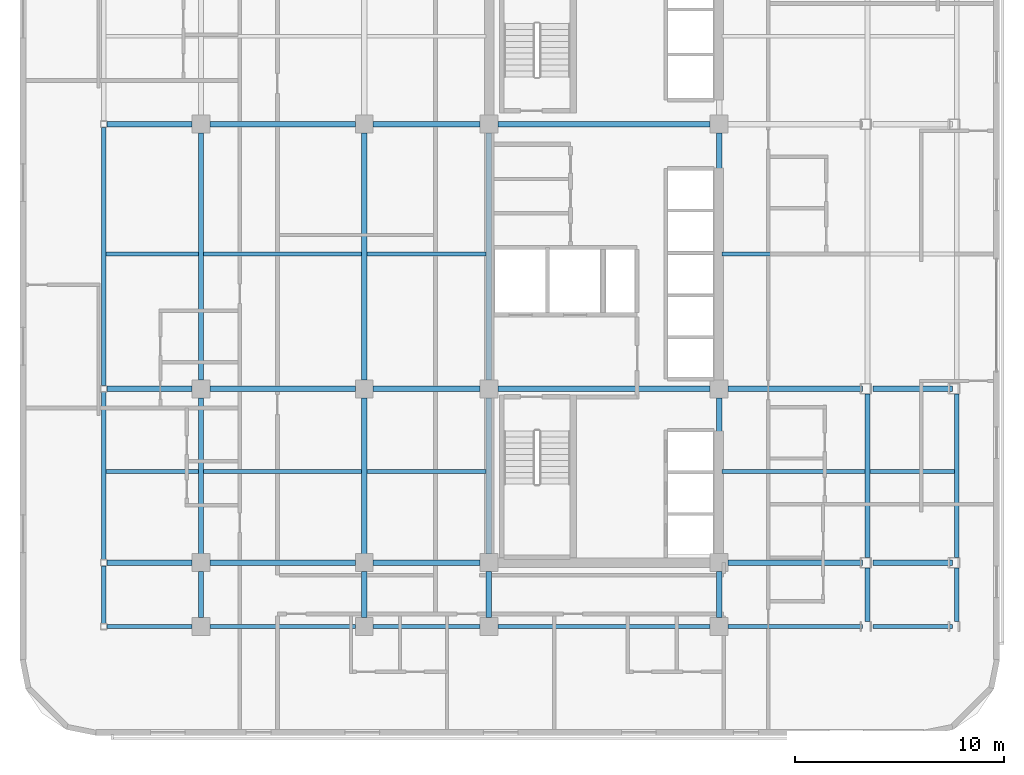
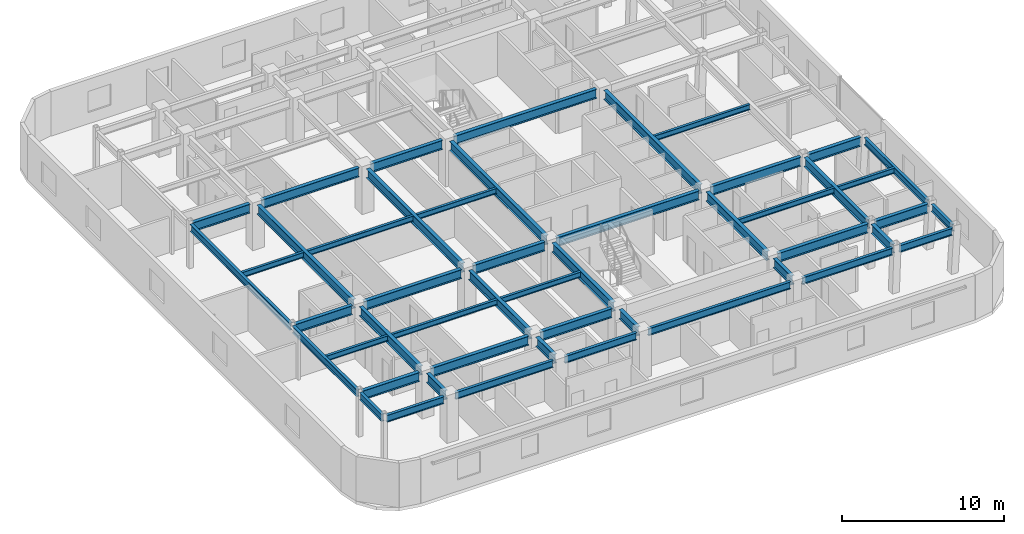
# One storey, part 4 of 15: 49 beams.
"""IFC4 building model written with IfcOpenShell, lengths in metres."""

from ifc_helpers import new_model, si_unit, direction, frame, origin, origin_2d, place, context, subcontext, project, spatial, i_section, extrude, material, material_profile, profile_set, type_object, element, save


model = new_model("IFC4")

# Units and contexts
model_context = context("Model", 3, precision=1e-05, world=origin(), true_north=direction((0.0, 1.0)))
body_context = subcontext(model_context, "Body", "Model", "MODEL_VIEW")
ifc_project = project(units=[si_unit("LENGTHUNIT", "METRE"), si_unit("AREAUNIT", "SQUARE_METRE"), si_unit("VOLUMEUNIT", "CUBIC_METRE"), si_unit("PLANEANGLEUNIT", "RADIAN"), si_unit("MASSUNIT", "GRAM", prefix="KILO")], contexts=[model_context])

# Site, building, storey
site_placement = place(None, origin())
site = spatial("IfcSite", under=ifc_project, at=site_placement, CompositionType="ELEMENT")
building_placement = place(site_placement, origin())
building = spatial("IfcBuilding", under=site, at=building_placement, Name="Ochreholt Gables", CompositionType="ELEMENT")
storey_placement = place(building_placement, frame((0.0, 0.0, 64.199951171875)))
storey = spatial("IfcBuildingStorey", under=building, at=storey_placement, Name="L16", CompositionType="ELEMENT", Elevation=64.199951171875)

# Beams
ifc_material = material(Name="Steel CSA G40.21 350W", Category="steel")
ifc_material_profile_1 = material_profile(ifc_material, i_section(OverallWidth=0.256103515625, OverallDepth=0.693115234375, WebThickness=0.014404296875, FlangeThickness=0.023681640625, at=origin_2d()), Name="W690X170")
ifc_profile_set_1 = profile_set([ifc_material_profile_1], Name="Steel CSA G40.21 350W")
beam_type_1 = type_object("IfcBeamType", Name="BM-G-W690", PredefinedType="BEAM", material=ifc_profile_set_1)
beam_1_placement = place(storey_placement, frame((5.9521484375, 9.25, 3.013427734375), z_axis=(1.0, 0.0, 0.0), x_axis=(0.0, 1.0, 0.0)))
element("IfcBeam", 1, at=beam_1_placement, inside=storey, type_object=beam_type_1, Name="L16 Beam TBG-L16-WTW2-Y2", PredefinedType="BEAM", context=body_context, shape_type="SweptSolid", body=[
    extrude(i_section(OverallWidth=0.256103515625, OverallDepth=0.693115234375, WebThickness=0.014404296875, FlangeThickness=0.023681640625, at=origin_2d()), origin(), (0.0, 0.0, 1.0), 4.0732421875),
])
beam_2_placement = place(storey_placement, frame((10.87451171875, 9.25, 3.013427734375), z_axis=(1.0, 0.0, 0.0), x_axis=(0.0, 1.0, 0.0)))
element("IfcBeam", 2, at=beam_2_placement, inside=storey, type_object=beam_type_1, Name="L16 Beam TBG-L16-W2W3-Y2", PredefinedType="BEAM", context=body_context, shape_type="SweptSolid", body=[
    extrude(i_section(OverallWidth=0.256103515625, OverallDepth=0.693115234375, WebThickness=0.014404296875, FlangeThickness=0.023681640625, at=origin_2d()), origin(), (0.0, 0.0, 1.0), 6.950927734375),
])
beam_3_placement = place(storey_placement, frame((18.674560546875, 9.25, 3.013427734375), z_axis=(1.0, 0.0, 0.0), x_axis=(0.0, 1.0, 0.0)))
element("IfcBeam", 3, at=beam_3_placement, inside=storey, type_object=beam_type_1, Name="L16 Beam TBG-L16-W3C1-Y2", PredefinedType="BEAM", context=body_context, shape_type="SweptSolid", body=[
    extrude(i_section(OverallWidth=0.256103515625, OverallDepth=0.693115234375, WebThickness=0.014404296875, FlangeThickness=0.023681640625, at=origin_2d()), origin(), (0.0, 0.0, 1.0), 5.100830078125),
])
beam_4_placement = place(storey_placement, frame((35.62451171875, 9.25, 3.013427734375), z_axis=(1.0, 0.0, 0.0), x_axis=(0.0, 1.0, 0.0)))
element("IfcBeam", 4, at=beam_4_placement, inside=storey, type_object=beam_type_1, Name="L16 Beam TBG-L16-C2EM-Y2", PredefinedType="BEAM", context=body_context, shape_type="SweptSolid", body=[
    extrude(i_section(OverallWidth=0.256103515625, OverallDepth=0.693115234375, WebThickness=0.014404296875, FlangeThickness=0.023681640625, at=origin_2d()), origin(), (0.0, 0.0, 1.0), 6.434814453125),
])
beam_5_placement = place(storey_placement, frame((42.55859375, 9.25, 3.013427734375), z_axis=(1.0, 0.0, 0.0), x_axis=(0.0, 1.0, 0.0)))
element("IfcBeam", 5, at=beam_5_placement, inside=storey, type_object=beam_type_1, Name="L16 Beam TBG-L16-EMEE-Y2", PredefinedType="BEAM", context=body_context, shape_type="SweptSolid", body=[
    extrude(i_section(OverallWidth=0.256103515625, OverallDepth=0.693115234375, WebThickness=0.014404296875, FlangeThickness=0.023681640625, at=origin_2d()), origin(), (0.0, 0.0, 1.0), 3.781005859375),
])
beam_6_placement = place(storey_placement, frame((5.9521484375, 17.550048828125, 3.013427734375), z_axis=(1.0, 0.0, 0.0), x_axis=(0.0, 1.0, 0.0)))
element("IfcBeam", 6, at=beam_6_placement, inside=storey, type_object=beam_type_1, Name="L16 Beam TBG-L16-WTW2-Y3", PredefinedType="BEAM", context=body_context, shape_type="SweptSolid", body=[
    extrude(i_section(OverallWidth=0.256103515625, OverallDepth=0.693115234375, WebThickness=0.014404296875, FlangeThickness=0.023681640625, at=origin_2d()), origin(), (0.0, 0.0, 1.0), 4.0732421875),
])
beam_7_placement = place(storey_placement, frame((10.87451171875, 17.550048828125, 3.013427734375), z_axis=(1.0, 0.0, 0.0), x_axis=(0.0, 1.0, 0.0)))
element("IfcBeam", 7, at=beam_7_placement, inside=storey, type_object=beam_type_1, Name="L16 Beam TBG-L16-W2W3-Y3", PredefinedType="BEAM", context=body_context, shape_type="SweptSolid", body=[
    extrude(i_section(OverallWidth=0.256103515625, OverallDepth=0.693115234375, WebThickness=0.014404296875, FlangeThickness=0.023681640625, at=origin_2d()), origin(), (0.0, 0.0, 1.0), 6.950927734375),
])
beam_8_placement = place(storey_placement, frame((18.674560546875, 17.550048828125, 3.013427734375), z_axis=(1.0, 0.0, 0.0), x_axis=(0.0, 1.0, 0.0)))
element("IfcBeam", 8, at=beam_8_placement, inside=storey, type_object=beam_type_1, Name="L16 Beam TBG-L16-W3C1-Y3", PredefinedType="BEAM", context=body_context, shape_type="SweptSolid", body=[
    extrude(i_section(OverallWidth=0.256103515625, OverallDepth=0.693115234375, WebThickness=0.014404296875, FlangeThickness=0.023681640625, at=origin_2d()), origin(), (0.0, 0.0, 1.0), 5.100830078125),
])
beam_9_placement = place(storey_placement, frame((24.62451171875, 17.550048828125, 3.013427734375), z_axis=(1.0, 0.0, 0.0), x_axis=(0.0, 1.0, 0.0)))
element("IfcBeam", 9, at=beam_9_placement, inside=storey, type_object=beam_type_1, Name="L16 Beam TBG-L16-C1C2-Y3", PredefinedType="BEAM", context=body_context, shape_type="SweptSolid", body=[
    extrude(i_section(OverallWidth=0.256103515625, OverallDepth=0.693115234375, WebThickness=0.014404296875, FlangeThickness=0.023681640625, at=origin_2d()), origin(), (0.0, 0.0, 1.0), 10.15087890625),
])
beam_10_placement = place(storey_placement, frame((35.62451171875, 17.550048828125, 3.013427734375), z_axis=(1.0, 0.0, 0.0), x_axis=(0.0, 1.0, 0.0)))
element("IfcBeam", 10, at=beam_10_placement, inside=storey, type_object=beam_type_1, Name="L16 Beam TBG-L16-C2EM-Y3", PredefinedType="BEAM", context=body_context, shape_type="SweptSolid", body=[
    extrude(i_section(OverallWidth=0.256103515625, OverallDepth=0.693115234375, WebThickness=0.014404296875, FlangeThickness=0.023681640625, at=origin_2d()), origin(), (0.0, 0.0, 1.0), 6.434814453125),
])
beam_11_placement = place(storey_placement, frame((42.55859375, 17.550048828125, 3.013427734375), z_axis=(1.0, 0.0, 0.0), x_axis=(0.0, 1.0, 0.0)))
element("IfcBeam", 11, at=beam_11_placement, inside=storey, type_object=beam_type_1, Name="L16 Beam TBG-L16-EMEE-Y3", PredefinedType="BEAM", context=body_context, shape_type="SweptSolid", body=[
    extrude(i_section(OverallWidth=0.256103515625, OverallDepth=0.693115234375, WebThickness=0.014404296875, FlangeThickness=0.023681640625, at=origin_2d()), origin(), (0.0, 0.0, 1.0), 3.781005859375),
])
beam_12_placement = place(storey_placement, frame((5.9521484375, 30.199951171875, 3.013427734375), z_axis=(1.0, 0.0, 0.0), x_axis=(0.0, 1.0, 0.0)))
element("IfcBeam", 12, at=beam_12_placement, inside=storey, type_object=beam_type_1, Name="L16 Beam TBG-L16-WTW2-Y4", PredefinedType="BEAM", context=body_context, shape_type="SweptSolid", body=[
    extrude(i_section(OverallWidth=0.256103515625, OverallDepth=0.693115234375, WebThickness=0.014404296875, FlangeThickness=0.023681640625, at=origin_2d()), origin(), (0.0, 0.0, 1.0), 4.0732421875),
])
beam_13_placement = place(storey_placement, frame((10.87451171875, 30.199951171875, 3.013427734375), z_axis=(1.0, 0.0, 0.0), x_axis=(0.0, 1.0, 0.0)))
element("IfcBeam", 13, at=beam_13_placement, inside=storey, type_object=beam_type_1, Name="L16 Beam TBG-L16-W2W3-Y4", PredefinedType="BEAM", context=body_context, shape_type="SweptSolid", body=[
    extrude(i_section(OverallWidth=0.256103515625, OverallDepth=0.693115234375, WebThickness=0.014404296875, FlangeThickness=0.023681640625, at=origin_2d()), origin(), (0.0, 0.0, 1.0), 6.950927734375),
])
beam_14_placement = place(storey_placement, frame((18.674560546875, 30.199951171875, 3.013427734375), z_axis=(1.0, 0.0, 0.0), x_axis=(0.0, 1.0, 0.0)))
element("IfcBeam", 14, at=beam_14_placement, inside=storey, type_object=beam_type_1, Name="L16 Beam TBG-L16-W3C1-Y4", PredefinedType="BEAM", context=body_context, shape_type="SweptSolid", body=[
    extrude(i_section(OverallWidth=0.256103515625, OverallDepth=0.693115234375, WebThickness=0.014404296875, FlangeThickness=0.023681640625, at=origin_2d()), origin(), (0.0, 0.0, 1.0), 5.100830078125),
])
beam_15_placement = place(storey_placement, frame((24.62451171875, 30.199951171875, 3.013427734375), z_axis=(1.0, 0.0, 0.0), x_axis=(0.0, 1.0, 0.0)))
element("IfcBeam", 15, at=beam_15_placement, inside=storey, type_object=beam_type_1, Name="L16 Beam TBG-L16-C1C2-Y4", PredefinedType="BEAM", context=body_context, shape_type="SweptSolid", body=[
    extrude(i_section(OverallWidth=0.256103515625, OverallDepth=0.693115234375, WebThickness=0.014404296875, FlangeThickness=0.023681640625, at=origin_2d()), origin(), (0.0, 0.0, 1.0), 10.15087890625),
])
beam_16_placement = place(storey_placement, frame((10.449951171875, 6.62451171875, 3.013427734375), z_axis=(0.0, 1.0, 0.0), x_axis=(-1.0, 0.0, 0.0)))
element("IfcBeam", 16, at=beam_16_placement, inside=storey, type_object=beam_type_1, Name="L16 Beam TBN-L16-W2-Y1Y2", PredefinedType="BEAM", context=body_context, shape_type="SweptSolid", body=[
    extrude(i_section(OverallWidth=0.256103515625, OverallDepth=0.693115234375, WebThickness=0.014404296875, FlangeThickness=0.023681640625, at=origin_2d()), origin(), (0.0, 0.0, 1.0), 2.200927734375),
])
beam_17_placement = place(storey_placement, frame((10.449951171875, 9.674560546875, 3.013427734375), z_axis=(0.0, 1.0, 0.0), x_axis=(-1.0, 0.0, 0.0)))
element("IfcBeam", 17, at=beam_17_placement, inside=storey, type_object=beam_type_1, Name="L16 Beam TBN-L16-W2-Y2Y3", PredefinedType="BEAM", context=body_context, shape_type="SweptSolid", body=[
    extrude(i_section(OverallWidth=0.256103515625, OverallDepth=0.693115234375, WebThickness=0.014404296875, FlangeThickness=0.023681640625, at=origin_2d()), origin(), (0.0, 0.0, 1.0), 7.450927734375),
])
beam_18_placement = place(storey_placement, frame((10.449951171875, 17.974609375, 3.013427734375), z_axis=(0.0, 1.0, 0.0), x_axis=(-1.0, 0.0, 0.0)))
element("IfcBeam", 18, at=beam_18_placement, inside=storey, type_object=beam_type_1, Name="L16 Beam TBN-L16-W2-Y3Y4", PredefinedType="BEAM", context=body_context, shape_type="SweptSolid", body=[
    extrude(i_section(OverallWidth=0.256103515625, OverallDepth=0.693115234375, WebThickness=0.014404296875, FlangeThickness=0.023681640625, at=origin_2d()), origin(), (0.0, 0.0, 1.0), 11.80078125),
])
beam_19_placement = place(storey_placement, frame((18.25, 6.62451171875, 3.013427734375), z_axis=(0.0, 1.0, 0.0), x_axis=(-1.0, 0.0, 0.0)))
element("IfcBeam", 19, at=beam_19_placement, inside=storey, type_object=beam_type_1, Name="L16 Beam TBN-L16-W3-Y1Y2", PredefinedType="BEAM", context=body_context, shape_type="SweptSolid", body=[
    extrude(i_section(OverallWidth=0.256103515625, OverallDepth=0.693115234375, WebThickness=0.014404296875, FlangeThickness=0.023681640625, at=origin_2d()), origin(), (0.0, 0.0, 1.0), 2.200927734375),
])
beam_20_placement = place(storey_placement, frame((18.25, 9.674560546875, 3.013427734375), z_axis=(0.0, 1.0, 0.0), x_axis=(-1.0, 0.0, 0.0)))
element("IfcBeam", 20, at=beam_20_placement, inside=storey, type_object=beam_type_1, Name="L16 Beam TBN-L16-W3-Y2Y3", PredefinedType="BEAM", context=body_context, shape_type="SweptSolid", body=[
    extrude(i_section(OverallWidth=0.256103515625, OverallDepth=0.693115234375, WebThickness=0.014404296875, FlangeThickness=0.023681640625, at=origin_2d()), origin(), (0.0, 0.0, 1.0), 7.450927734375),
])
beam_21_placement = place(storey_placement, frame((18.25, 17.974609375, 3.013427734375), z_axis=(0.0, 1.0, 0.0), x_axis=(-1.0, 0.0, 0.0)))
element("IfcBeam", 21, at=beam_21_placement, inside=storey, type_object=beam_type_1, Name="L16 Beam TBN-L16-W3-Y3Y4", PredefinedType="BEAM", context=body_context, shape_type="SweptSolid", body=[
    extrude(i_section(OverallWidth=0.256103515625, OverallDepth=0.693115234375, WebThickness=0.014404296875, FlangeThickness=0.023681640625, at=origin_2d()), origin(), (0.0, 0.0, 1.0), 11.80078125),
])
beam_22_placement = place(storey_placement, frame((24.199951171875, 6.62451171875, 3.013427734375), z_axis=(0.0, 1.0, 0.0), x_axis=(-1.0, 0.0, 0.0)))
element("IfcBeam", 22, at=beam_22_placement, inside=storey, type_object=beam_type_1, Name="L16 Beam TBN-L16-C1-Y1Y2", PredefinedType="BEAM", context=body_context, shape_type="SweptSolid", body=[
    extrude(i_section(OverallWidth=0.256103515625, OverallDepth=0.693115234375, WebThickness=0.014404296875, FlangeThickness=0.023681640625, at=origin_2d()), origin(), (0.0, 0.0, 1.0), 2.200927734375),
])
beam_23_placement = place(storey_placement, frame((24.199951171875, 9.674560546875, 3.013427734375), z_axis=(0.0, 1.0, 0.0), x_axis=(-1.0, 0.0, 0.0)))
element("IfcBeam", 23, at=beam_23_placement, inside=storey, type_object=beam_type_1, Name="L16 Beam TBN-L16-C1-Y2Y3", PredefinedType="BEAM", context=body_context, shape_type="SweptSolid", body=[
    extrude(i_section(OverallWidth=0.256103515625, OverallDepth=0.693115234375, WebThickness=0.014404296875, FlangeThickness=0.023681640625, at=origin_2d()), origin(), (0.0, 0.0, 1.0), 7.450927734375),
])
beam_24_placement = place(storey_placement, frame((24.199951171875, 17.974609375, 3.013427734375), z_axis=(0.0, 1.0, 0.0), x_axis=(-1.0, 0.0, 0.0)))
element("IfcBeam", 24, at=beam_24_placement, inside=storey, type_object=beam_type_1, Name="L16 Beam TBN-L16-C1-Y3Y4", PredefinedType="BEAM", context=body_context, shape_type="SweptSolid", body=[
    extrude(i_section(OverallWidth=0.256103515625, OverallDepth=0.693115234375, WebThickness=0.014404296875, FlangeThickness=0.023681640625, at=origin_2d()), origin(), (0.0, 0.0, 1.0), 11.80078125),
])
beam_25_placement = place(storey_placement, frame((35.199951171875, 6.62451171875, 3.013427734375), z_axis=(0.0, 1.0, 0.0), x_axis=(-1.0, 0.0, 0.0)))
element("IfcBeam", 25, at=beam_25_placement, inside=storey, type_object=beam_type_1, Name="L16 Beam TBN-L16-C2-Y1Y2", PredefinedType="BEAM", context=body_context, shape_type="SweptSolid", body=[
    extrude(i_section(OverallWidth=0.256103515625, OverallDepth=0.693115234375, WebThickness=0.014404296875, FlangeThickness=0.023681640625, at=origin_2d()), origin(), (0.0, 0.0, 1.0), 2.200927734375),
])
beam_26_placement = place(storey_placement, frame((35.199951171875, 9.674560546875, 3.013427734375), z_axis=(0.0, 1.0, 0.0), x_axis=(-1.0, 0.0, 0.0)))
element("IfcBeam", 26, at=beam_26_placement, inside=storey, type_object=beam_type_1, Name="L16 Beam TBN-L16-C2-Y2Y3", PredefinedType="BEAM", context=body_context, shape_type="SweptSolid", body=[
    extrude(i_section(OverallWidth=0.256103515625, OverallDepth=0.693115234375, WebThickness=0.014404296875, FlangeThickness=0.023681640625, at=origin_2d()), origin(), (0.0, 0.0, 1.0), 7.450927734375),
])
beam_27_placement = place(storey_placement, frame((35.199951171875, 17.974609375, 3.013427734375), z_axis=(0.0, 1.0, 0.0), x_axis=(-1.0, 0.0, 0.0)))
element("IfcBeam", 27, at=beam_27_placement, inside=storey, type_object=beam_type_1, Name="L16 Beam TBN-L16-C2-Y3Y4", PredefinedType="BEAM", context=body_context, shape_type="SweptSolid", body=[
    extrude(i_section(OverallWidth=0.256103515625, OverallDepth=0.693115234375, WebThickness=0.014404296875, FlangeThickness=0.023681640625, at=origin_2d()), origin(), (0.0, 0.0, 1.0), 11.80078125),
])
beam_28_placement = place(storey_placement, frame((42.291748046875, 6.44970703125, 3.013427734375), z_axis=(0.0, 1.0, 0.0), x_axis=(-1.0, 0.0, 0.0)))
element("IfcBeam", 28, at=beam_28_placement, inside=storey, type_object=beam_type_1, Name="L16 Beam TBN-L16-EM-Y1Y2", PredefinedType="BEAM", context=body_context, shape_type="SweptSolid", body=[
    extrude(i_section(OverallWidth=0.256103515625, OverallDepth=0.693115234375, WebThickness=0.014404296875, FlangeThickness=0.023681640625, at=origin_2d()), origin(), (0.0, 0.0, 1.0), 2.55078125),
])
beam_29_placement = place(storey_placement, frame((42.291748046875, 9.49951171875, 3.013427734375), z_axis=(0.0, 1.0, 0.0), x_axis=(-1.0, 0.0, 0.0)))
element("IfcBeam", 29, at=beam_29_placement, inside=storey, type_object=beam_type_1, Name="L16 Beam TBN-L16-EM-Y2Y3", PredefinedType="BEAM", context=body_context, shape_type="SweptSolid", body=[
    extrude(i_section(OverallWidth=0.256103515625, OverallDepth=0.693115234375, WebThickness=0.014404296875, FlangeThickness=0.023681640625, at=origin_2d()), origin(), (0.0, 0.0, 1.0), 7.80078125),
])
ifc_material_profile_2 = material_profile(ifc_material, i_section(OverallWidth=0.178955078125, OverallDepth=0.409912109375, WebThickness=0.0087890625, FlangeThickness=0.014404296875, at=origin_2d()), Name="W410X67")
ifc_profile_set_2 = profile_set([ifc_material_profile_2], Name="Steel CSA G40.21 350W")
beam_type_2 = type_object("IfcBeamType", Name="BM-J-W410", PredefinedType="JOIST", material=ifc_profile_set_2)
beam_30_placement = place(storey_placement, frame((5.904052734375, 13.60009765625, 3.155029296875), z_axis=(1.0, 0.0, 0.0), x_axis=(0.0, 1.0, 0.0)))
element("IfcBeam", 30, at=beam_30_placement, inside=storey, type_object=beam_type_2, Name="L16 Beam TBJ-L16-J1-WTW2", PredefinedType="JOIST", context=body_context, shape_type="SweptSolid", body=[
    extrude(i_section(OverallWidth=0.178955078125, OverallDepth=0.409912109375, WebThickness=0.0087890625, FlangeThickness=0.014404296875, at=origin_2d()), origin(), (0.0, 0.0, 1.0), 4.41845703125),
])
beam_31_placement = place(storey_placement, frame((10.57763671875, 13.60009765625, 3.155029296875), z_axis=(1.0, 0.0, 0.0), x_axis=(0.0, 1.0, 0.0)))
element("IfcBeam", 31, at=beam_31_placement, inside=storey, type_object=beam_type_2, Name="L16 Beam TBJ-L16-J1-W2W3", PredefinedType="JOIST", context=body_context, shape_type="SweptSolid", body=[
    extrude(i_section(OverallWidth=0.178955078125, OverallDepth=0.409912109375, WebThickness=0.0087890625, FlangeThickness=0.014404296875, at=origin_2d()), origin(), (0.0, 0.0, 1.0), 7.544677734375),
])
beam_32_placement = place(storey_placement, frame((18.377685546875, 13.60009765625, 3.155029296875), z_axis=(1.0, 0.0, 0.0), x_axis=(0.0, 1.0, 0.0)))
element("IfcBeam", 32, at=beam_32_placement, inside=storey, type_object=beam_type_2, Name="L16 Beam TBJ-L16-J1-W3C1", PredefinedType="JOIST", context=body_context, shape_type="SweptSolid", body=[
    extrude(i_section(OverallWidth=0.178955078125, OverallDepth=0.409912109375, WebThickness=0.0087890625, FlangeThickness=0.014404296875, at=origin_2d()), origin(), (0.0, 0.0, 1.0), 5.69482421875),
])
beam_33_placement = place(storey_placement, frame((35.32763671875, 13.60009765625, 3.155029296875), z_axis=(1.0, 0.0, 0.0), x_axis=(0.0, 1.0, 0.0)))
element("IfcBeam", 33, at=beam_33_placement, inside=storey, type_object=beam_type_2, Name="L16 Beam TBJ-L16-J1-C2EM", PredefinedType="JOIST", context=body_context, shape_type="SweptSolid", body=[
    extrude(i_section(OverallWidth=0.178955078125, OverallDepth=0.409912109375, WebThickness=0.0087890625, FlangeThickness=0.014404296875, at=origin_2d()), origin(), (0.0, 0.0, 1.0), 6.836669921875),
])
beam_34_placement = place(storey_placement, frame((42.41943359375, 13.60009765625, 3.155029296875), z_axis=(1.0, 0.0, 0.0), x_axis=(0.0, 1.0, 0.0)))
element("IfcBeam", 34, at=beam_34_placement, inside=storey, type_object=beam_type_2, Name="L16 Beam TBJ-L16-J1-EMEE", PredefinedType="JOIST", context=body_context, shape_type="SweptSolid", body=[
    extrude(i_section(OverallWidth=0.178955078125, OverallDepth=0.409912109375, WebThickness=0.0087890625, FlangeThickness=0.014404296875, at=origin_2d()), origin(), (0.0, 0.0, 1.0), 4.037353515625),
])
beam_35_placement = place(storey_placement, frame((5.904052734375, 24.0, 3.155029296875), z_axis=(1.0, 0.0, 0.0), x_axis=(0.0, 1.0, 0.0)))
element("IfcBeam", 35, at=beam_35_placement, inside=storey, type_object=beam_type_2, Name="L16 Beam TBJ-L16-J2-WTW2", PredefinedType="JOIST", context=body_context, shape_type="SweptSolid", body=[
    extrude(i_section(OverallWidth=0.178955078125, OverallDepth=0.409912109375, WebThickness=0.0087890625, FlangeThickness=0.014404296875, at=origin_2d()), origin(), (0.0, 0.0, 1.0), 4.41845703125),
])
beam_36_placement = place(storey_placement, frame((10.57763671875, 24.0, 3.155029296875), z_axis=(1.0, 0.0, 0.0), x_axis=(0.0, 1.0, 0.0)))
element("IfcBeam", 36, at=beam_36_placement, inside=storey, type_object=beam_type_2, Name="L16 Beam TBJ-L16-J2-W2W3", PredefinedType="JOIST", context=body_context, shape_type="SweptSolid", body=[
    extrude(i_section(OverallWidth=0.178955078125, OverallDepth=0.409912109375, WebThickness=0.0087890625, FlangeThickness=0.014404296875, at=origin_2d()), origin(), (0.0, 0.0, 1.0), 7.544677734375),
])
beam_37_placement = place(storey_placement, frame((18.377685546875, 24.0, 3.155029296875), z_axis=(1.0, 0.0, 0.0), x_axis=(0.0, 1.0, 0.0)))
element("IfcBeam", 37, at=beam_37_placement, inside=storey, type_object=beam_type_2, Name="L16 Beam TBJ-L16-J2-W3C1", PredefinedType="JOIST", context=body_context, shape_type="SweptSolid", body=[
    extrude(i_section(OverallWidth=0.178955078125, OverallDepth=0.409912109375, WebThickness=0.0087890625, FlangeThickness=0.014404296875, at=origin_2d()), origin(), (0.0, 0.0, 1.0), 5.69482421875),
])
beam_38_placement = place(storey_placement, frame((35.32763671875, 24.0, 3.155029296875), z_axis=(1.0, 0.0, 0.0), x_axis=(0.0, 1.0, 0.0)))
element("IfcBeam", 38, at=beam_38_placement, inside=storey, type_object=beam_type_2, Name="L16 Beam TBJ-L16-J2-C2EM", PredefinedType="JOIST", context=body_context, shape_type="SweptSolid", body=[
    extrude(i_section(OverallWidth=0.178955078125, OverallDepth=0.409912109375, WebThickness=0.0087890625, FlangeThickness=0.014404296875, at=origin_2d()), origin(), (0.0, 0.0, 1.0), 6.836669921875),
])
ifc_material_profile_3 = material_profile(ifc_material, i_section(OverallWidth=0.208984375, OverallDepth=0.532958984375, WebThickness=0.01025390625, FlangeThickness=0.015625, at=origin_2d()), Name="W530X92")
ifc_profile_set_3 = profile_set([ifc_material_profile_3], Name="Steel CSA G40.21 350W")
beam_type_3 = type_object("IfcBeamType", Name="BM-SP-W530B", PredefinedType="SPANDREL", material=ifc_profile_set_3)
beam_39_placement = place(storey_placement, frame((5.9521484375, 6.199951171875, 3.093505859375), z_axis=(1.0, 0.0, 0.0), x_axis=(0.0, 1.0, 0.0)))
element("IfcBeam", 39, at=beam_39_placement, inside=storey, type_object=beam_type_3, Name="L16 Beam TBG-L16-WTW2-Y1", PredefinedType="SPANDREL", context=body_context, shape_type="SweptSolid", body=[
    extrude(i_section(OverallWidth=0.208984375, OverallDepth=0.532958984375, WebThickness=0.01025390625, FlangeThickness=0.015625, at=origin_2d()), origin(), (0.0, 0.0, 1.0), 4.0732421875),
])
beam_40_placement = place(storey_placement, frame((10.87451171875, 6.199951171875, 3.093505859375), z_axis=(1.0, 0.0, 0.0), x_axis=(0.0, 1.0, 0.0)))
element("IfcBeam", 40, at=beam_40_placement, inside=storey, type_object=beam_type_3, Name="L16 Beam TBG-L16-W2W3-Y1", PredefinedType="SPANDREL", context=body_context, shape_type="SweptSolid", body=[
    extrude(i_section(OverallWidth=0.208984375, OverallDepth=0.532958984375, WebThickness=0.01025390625, FlangeThickness=0.015625, at=origin_2d()), origin(), (0.0, 0.0, 1.0), 6.950927734375),
])
beam_41_placement = place(storey_placement, frame((18.674560546875, 6.199951171875, 3.093505859375), z_axis=(1.0, 0.0, 0.0), x_axis=(0.0, 1.0, 0.0)))
element("IfcBeam", 41, at=beam_41_placement, inside=storey, type_object=beam_type_3, Name="L16 Beam TBG-L16-W3C1-Y1", PredefinedType="SPANDREL", context=body_context, shape_type="SweptSolid", body=[
    extrude(i_section(OverallWidth=0.208984375, OverallDepth=0.532958984375, WebThickness=0.01025390625, FlangeThickness=0.015625, at=origin_2d()), origin(), (0.0, 0.0, 1.0), 5.100830078125),
])
beam_42_placement = place(storey_placement, frame((24.62451171875, 6.199951171875, 3.093505859375), z_axis=(1.0, 0.0, 0.0), x_axis=(0.0, 1.0, 0.0)))
element("IfcBeam", 42, at=beam_42_placement, inside=storey, type_object=beam_type_3, Name="L16 Beam TBG-L16-C1C2-Y1", PredefinedType="SPANDREL", context=body_context, shape_type="SweptSolid", body=[
    extrude(i_section(OverallWidth=0.208984375, OverallDepth=0.532958984375, WebThickness=0.01025390625, FlangeThickness=0.015625, at=origin_2d()), origin(), (0.0, 0.0, 1.0), 10.15087890625),
])
beam_43_placement = place(storey_placement, frame((35.62451171875, 6.199951171875, 3.093505859375), z_axis=(1.0, 0.0, 0.0), x_axis=(0.0, 1.0, 0.0)))
element("IfcBeam", 43, at=beam_43_placement, inside=storey, type_object=beam_type_3, Name="L16 Beam TBG-L16-C2EM-Y1", PredefinedType="SPANDREL", context=body_context, shape_type="SweptSolid", body=[
    extrude(i_section(OverallWidth=0.208984375, OverallDepth=0.532958984375, WebThickness=0.01025390625, FlangeThickness=0.015625, at=origin_2d()), origin(), (0.0, 0.0, 1.0), 6.434814453125),
])
beam_44_placement = place(storey_placement, frame((42.55859375, 6.199951171875, 3.093505859375), z_axis=(1.0, 0.0, 0.0), x_axis=(0.0, 1.0, 0.0)))
element("IfcBeam", 44, at=beam_44_placement, inside=storey, type_object=beam_type_3, Name="L16 Beam TBG-L16-EMEE-Y1", PredefinedType="SPANDREL", context=body_context, shape_type="SweptSolid", body=[
    extrude(i_section(OverallWidth=0.208984375, OverallDepth=0.532958984375, WebThickness=0.01025390625, FlangeThickness=0.015625, at=origin_2d()), origin(), (0.0, 0.0, 1.0), 3.781005859375),
])
beam_45_placement = place(storey_placement, frame((5.800048828125, 6.35205078125, 3.093505859375), z_axis=(0.0, 1.0, 0.0), x_axis=(-1.0, 0.0, 0.0)))
element("IfcBeam", 45, at=beam_45_placement, inside=storey, type_object=beam_type_3, Name="L16 Beam TBN-L16-WT-Y1Y2", PredefinedType="SPANDREL", context=body_context, shape_type="SweptSolid", body=[
    extrude(i_section(OverallWidth=0.208984375, OverallDepth=0.532958984375, WebThickness=0.01025390625, FlangeThickness=0.015625, at=origin_2d()), origin(), (0.0, 0.0, 1.0), 2.745849609375),
])
beam_46_placement = place(storey_placement, frame((5.800048828125, 9.402099609375, 3.093505859375), z_axis=(0.0, 1.0, 0.0), x_axis=(-1.0, 0.0, 0.0)))
element("IfcBeam", 46, at=beam_46_placement, inside=storey, type_object=beam_type_3, Name="L16 Beam TBN-L16-WT-Y2Y3", PredefinedType="SPANDREL", context=body_context, shape_type="SweptSolid", body=[
    extrude(i_section(OverallWidth=0.208984375, OverallDepth=0.532958984375, WebThickness=0.01025390625, FlangeThickness=0.015625, at=origin_2d()), origin(), (0.0, 0.0, 1.0), 7.995849609375),
])
beam_47_placement = place(storey_placement, frame((5.800048828125, 17.7021484375, 3.093505859375), z_axis=(0.0, 1.0, 0.0), x_axis=(-1.0, 0.0, 0.0)))
element("IfcBeam", 47, at=beam_47_placement, inside=storey, type_object=beam_type_3, Name="L16 Beam TBN-L16-WT-Y3Y4", PredefinedType="SPANDREL", context=body_context, shape_type="SweptSolid", body=[
    extrude(i_section(OverallWidth=0.208984375, OverallDepth=0.532958984375, WebThickness=0.01025390625, FlangeThickness=0.015625, at=origin_2d()), origin(), (0.0, 0.0, 1.0), 12.345703125),
])
beam_48_placement = place(storey_placement, frame((46.560791015625, 6.44970703125, 3.093505859375), z_axis=(0.0, 1.0, 0.0), x_axis=(-1.0, 0.0, 0.0)))
element("IfcBeam", 48, at=beam_48_placement, inside=storey, type_object=beam_type_3, Name="L16 Beam TBN-L16-EE-Y1Y2", PredefinedType="SPANDREL", context=body_context, shape_type="SweptSolid", body=[
    extrude(i_section(OverallWidth=0.208984375, OverallDepth=0.532958984375, WebThickness=0.01025390625, FlangeThickness=0.015625, at=origin_2d()), origin(), (0.0, 0.0, 1.0), 2.55078125),
])
beam_49_placement = place(storey_placement, frame((46.560791015625, 9.49951171875, 3.093505859375), z_axis=(0.0, 1.0, 0.0), x_axis=(-1.0, 0.0, 0.0)))
element("IfcBeam", 49, at=beam_49_placement, inside=storey, type_object=beam_type_3, Name="L16 Beam TBN-L16-EE-Y2Y3", PredefinedType="SPANDREL", context=body_context, shape_type="SweptSolid", body=[
    extrude(i_section(OverallWidth=0.208984375, OverallDepth=0.532958984375, WebThickness=0.01025390625, FlangeThickness=0.015625, at=origin_2d()), origin(), (0.0, 0.0, 1.0), 7.80078125),
])

save(model, "model.ifc")
